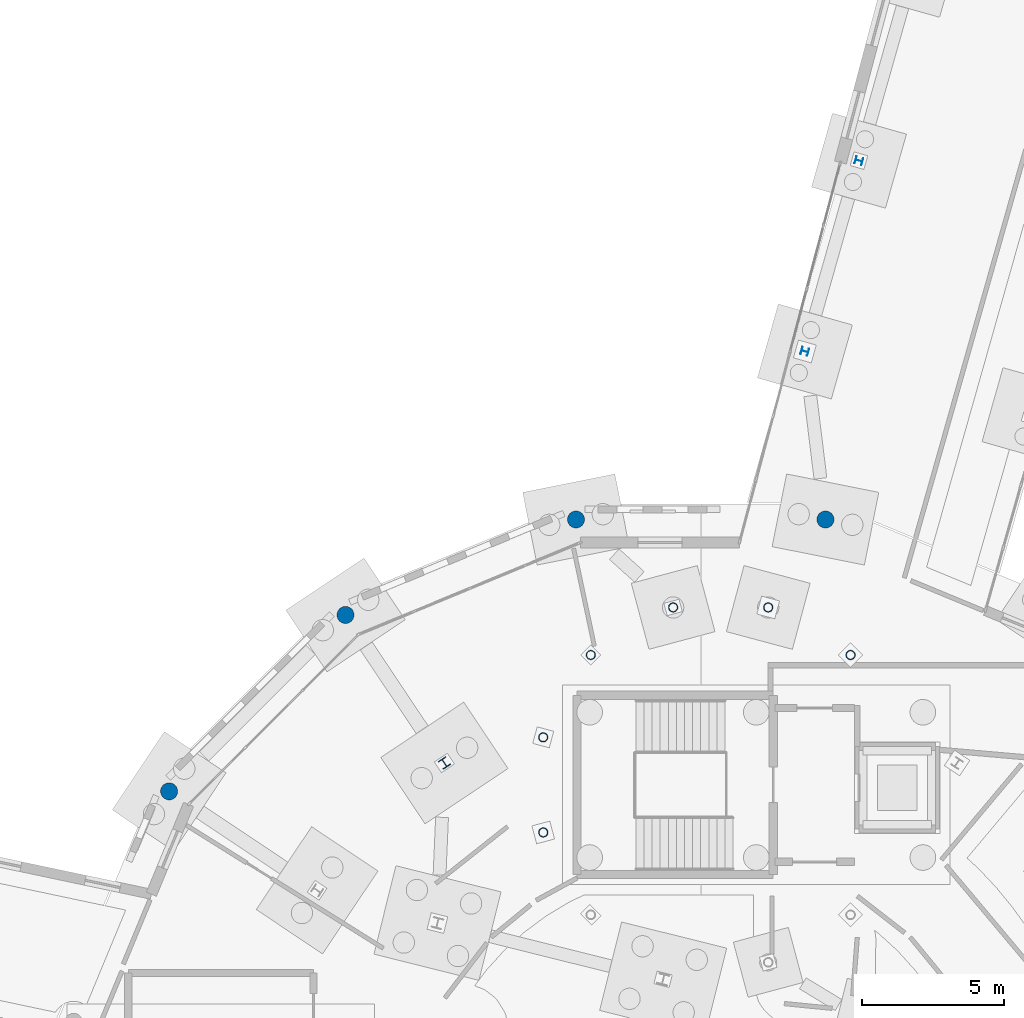
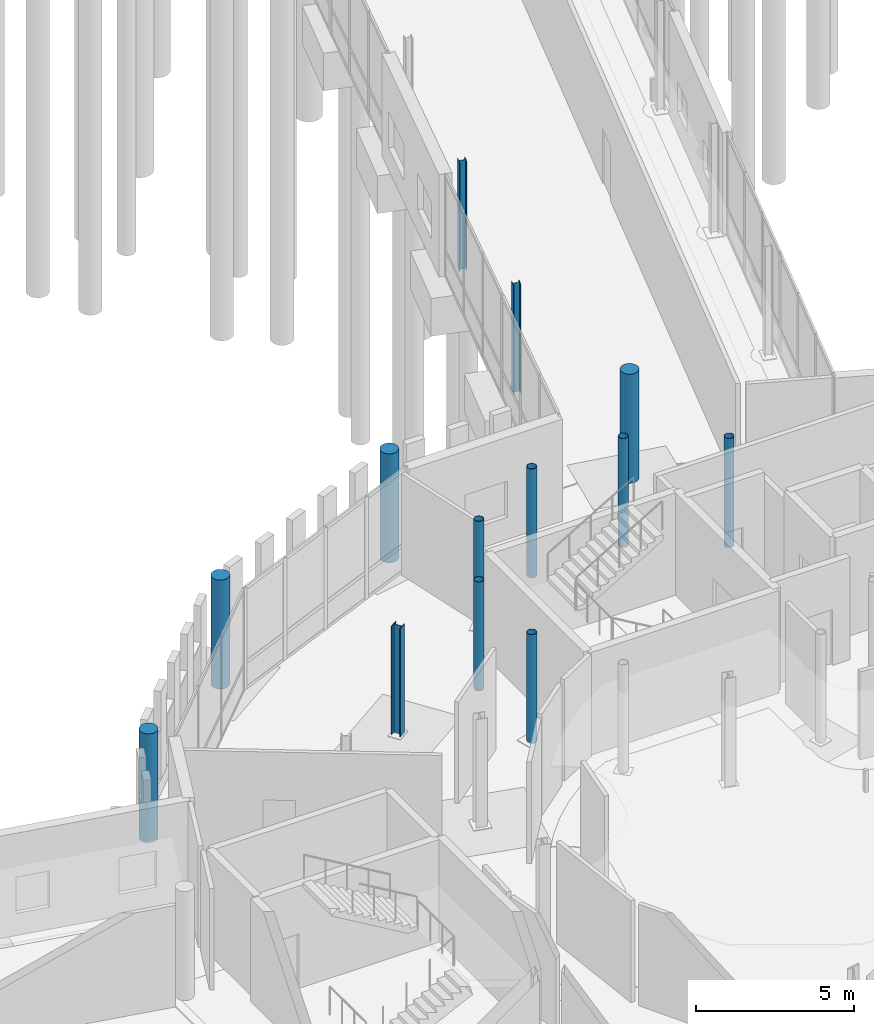
# One storey, part 23 of 113: 13 columns.
"""IFC4 building model written with IfcOpenShell, lengths in metres."""

from ifc_helpers import new_model, si_unit, direction, frame, origin, origin_2d, place, context, subcontext, project, spatial, circle, hollow_circle, i_section, extrude, material, material_profile, profile_set, type_object, element, save


model = new_model("IFC4")

# Units and contexts
model_context = context("Model", 3, precision=1e-05, world=origin(), true_north=direction((0.0, 1.0)))
body_context = subcontext(model_context, "Body", "Model", "MODEL_VIEW")
ifc_project = project(units=[si_unit("LENGTHUNIT", "METRE"), si_unit("AREAUNIT", "SQUARE_METRE"), si_unit("VOLUMEUNIT", "CUBIC_METRE"), si_unit("PLANEANGLEUNIT", "RADIAN"), si_unit("MASSUNIT", "GRAM", prefix="KILO")], contexts=[model_context])

# Site, building, storey
site_placement = place(None, origin())
site = spatial("IfcSite", under=ifc_project, at=site_placement, CompositionType="ELEMENT")
building_placement = place(site_placement, origin())
building = spatial("IfcBuilding", under=site, at=building_placement, Name="Wrenclough Park School", CompositionType="ELEMENT")
storey_placement = place(building_placement, origin())
storey = spatial("IfcBuildingStorey", under=building, at=storey_placement, Name="L00", CompositionType="ELEMENT", Elevation=0.0)

# Columns
ifc_material_1 = material(Name="Structural steel S355", Category="steel")
ifc_material_profile_1 = material_profile(ifc_material_1, hollow_circle(Radius=0.161865234375, WallThickness=0.01611328125, at=origin_2d()), Name="CHS 323.9x16.0")
ifc_profile_set_1 = profile_set([ifc_material_profile_1], Name="Structural steel S355")
column_type_1 = type_object("IfcColumnType", Name="STR-COL-CHS324", PredefinedType="COLUMN", material=ifc_profile_set_1)
for number, where, z_axis, x_axis, name in (
    (1, (160.7607421875, 43.7607421875, 0.0), (0.0, 0.0, 1.0), (-0.707106781187, 0.707106781187, 0.0), "D1-SH L00 column D1SH-02"),
    (2, (157.869384765625, 45.43017578125, 0.0), (0.0, 0.0, 1.0), (-0.965925826289, 0.258819045103, 0.0), "D1-SH L00 column D1SH-03"),
    (3, (154.530517578125, 45.43017578125, 0.0), (0.0, 0.0, 1.0), (-0.965925826289, -0.258819045103, 0.0), "D1-SH L00 column D1SH-04"),
    (4, (151.63916015625, 43.7607421875, 0.0), (0.0, 0.0, 1.0), (-0.707106781187, -0.707106781187, 0.0), "D1-SH L00 column D1SH-05"),
    (5, (149.9697265625, 40.869384765625, 0.0), (0.0, 0.0, 1.0), (-0.258819045103, -0.965925826289, 0.0), "D1-SH L00 column D1SH-06"),
    (6, (149.9697265625, 37.530517578125, 0.0), (0.0, 0.0, 1.0), (0.258819045103, -0.965925826289, 0.0), "D1-SH L00 column D1SH-07"),
):
    element("IfcColumn", number, at=place(storey_placement, frame(where, z_axis=z_axis, x_axis=x_axis)), inside=storey, type_object=column_type_1, Name=name, PredefinedType="COLUMN", context=body_context, shape_type="SweptSolid", body=[
        extrude(hollow_circle(Radius=0.161865234375, WallThickness=0.01611328125, at=origin_2d()), origin(), (0.0, 0.0, 1.0), 4.199951171875),
    ])
ifc_material_2 = material(Name="Concrete C40/50", Category="concrete")
ifc_material_profile_2 = material_profile(ifc_material_2, circle(Radius=0.300048828125, at=origin_2d()), Name="RC COL D600")
ifc_profile_set_2 = profile_set([ifc_material_profile_2], Name="Concrete C40/50")
column_type_2 = type_object("IfcColumnType", Name="STR-COL-RCD600", PredefinedType="COLUMN", material=ifc_profile_set_2)
for number, where, z_axis, x_axis, name in (
    (7, (159.8798828125, 48.5185546875, 0.0), (0.0, 0.0, 1.0), (-0.980785280403, 0.195090322016, 0.0), "D1 L00 column D1-OUT-04"),
    (8, (151.1201171875, 48.5185546875, 0.0), (0.0, 0.0, 1.0), (-0.980785280403, -0.195090322016, 0.0), "D1 L00 column D1-OUT-05"),
    (9, (143.02734375, 45.16650390625, 0.0), (0.0, 0.0, 1.0), (-0.831469612303, -0.55557023302, 0.0), "D1 L00 column D1-OUT-06"),
    (10, (136.83349609375, 38.97265625, 0.0), (0.0, 0.0, 1.0), (-0.55557023302, -0.831469612303, 0.0), "D1 L00 column D1-OUT-07"),
):
    element("IfcColumn", number, at=place(storey_placement, frame(where, z_axis=z_axis, x_axis=x_axis)), inside=storey, type_object=column_type_2, Name=name, PredefinedType="COLUMN", context=body_context, shape_type="SweptSolid", body=[
        extrude(circle(Radius=0.300048828125, at=origin_2d()), origin(), (0.0, 0.0, 1.0), 4.199951171875),
    ])
ifc_material_profile_3 = material_profile(ifc_material_1, i_section(OverallWidth=0.254638671875, OverallDepth=0.254150390625, WebThickness=0.008544921875, FlangeThickness=0.01416015625, FilletRadius=0.0126953125, at=origin_2d()), Name="UKC 254x254x73")
ifc_profile_set_3 = profile_set([ifc_material_profile_3], Name="Structural steel S355")
column_type_3 = type_object("IfcColumnType", Name="STR-COL-UKC254A", PredefinedType="COLUMN", material=ifc_profile_set_3)
for number, where, z_axis, x_axis, name in (
    (11, (159.155517578125, 54.418701171875, 0.0), (0.0, 0.0, 1.0), (0.272784025857, 0.962075296033, 0.0), "W14 L00 column W14-C1-L04"),
    (12, (161.055419921875, 61.11865234375, 0.0), (0.0, 0.0, 1.0), (0.272784025857, 0.962075296033, 0.0), "W14 L00 column W14-C1-L05"),
):
    element("IfcColumn", number, at=place(storey_placement, frame(where, z_axis=z_axis, x_axis=x_axis)), inside=storey, type_object=column_type_3, Name=name, PredefinedType="COLUMN", context=body_context, shape_type="SweptSolid", body=[
        extrude(i_section(OverallWidth=0.254638671875, OverallDepth=0.254150390625, WebThickness=0.008544921875, FlangeThickness=0.01416015625, FilletRadius=0.0126953125, at=origin_2d()), origin(), (0.0, 0.0, 1.0), 4.199951171875),
    ])
ifc_material_profile_4 = material_profile(ifc_material_1, i_section(OverallWidth=0.311279296875, OverallDepth=0.3271484375, WebThickness=0.015869140625, FlangeThickness=0.02490234375, FilletRadius=0.01513671875, at=origin_2d()), Name="UKC 305x305x158")
ifc_profile_set_4 = profile_set([ifc_material_profile_4], Name="Structural steel S355")
column_type_4 = type_object("IfcColumnType", Name="STR-COL-UKC305B", PredefinedType="COLUMN", material=ifc_profile_set_4)
column_placement = place(storey_placement, frame((146.499755859375, 39.9697265625, 0.0), z_axis=(0.0, 0.0, 1.0), x_axis=(-0.831469612303, -0.55557023302, 0.0)))
element("IfcColumn", 13, at=column_placement, inside=storey, type_object=column_type_4, Name="D1 L00 column D1-MID-06", PredefinedType="COLUMN", context=body_context, shape_type="SweptSolid", body=[
    extrude(i_section(OverallWidth=0.311279296875, OverallDepth=0.3271484375, WebThickness=0.015869140625, FlangeThickness=0.02490234375, FilletRadius=0.01513671875, at=origin_2d()), origin(), (0.0, 0.0, 1.0), 4.199951171875),
])

save(model, "model.ifc")
